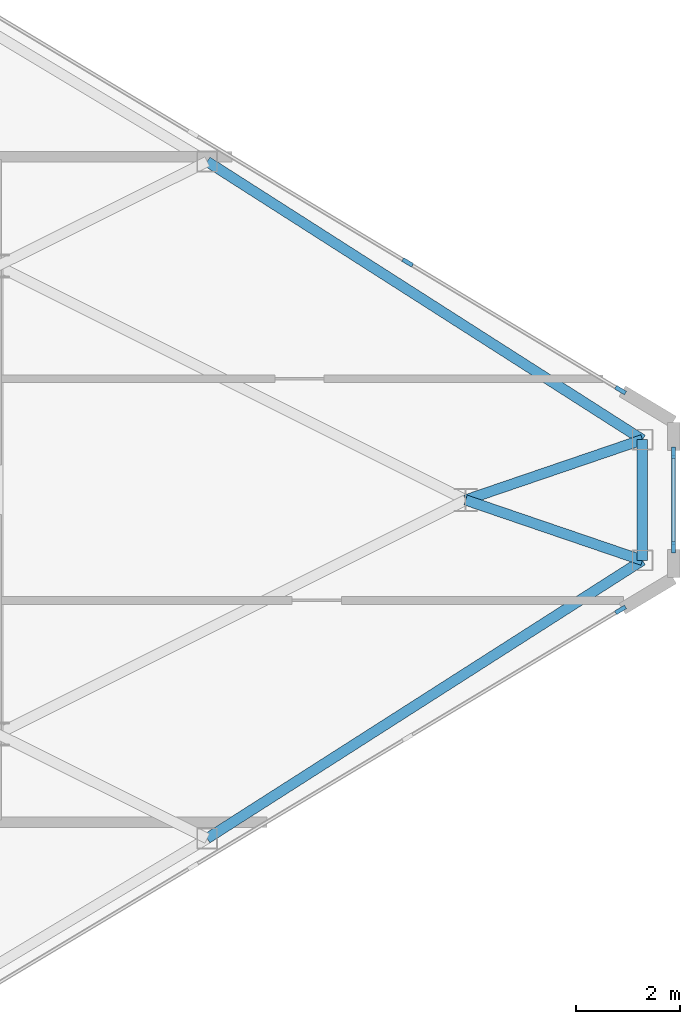
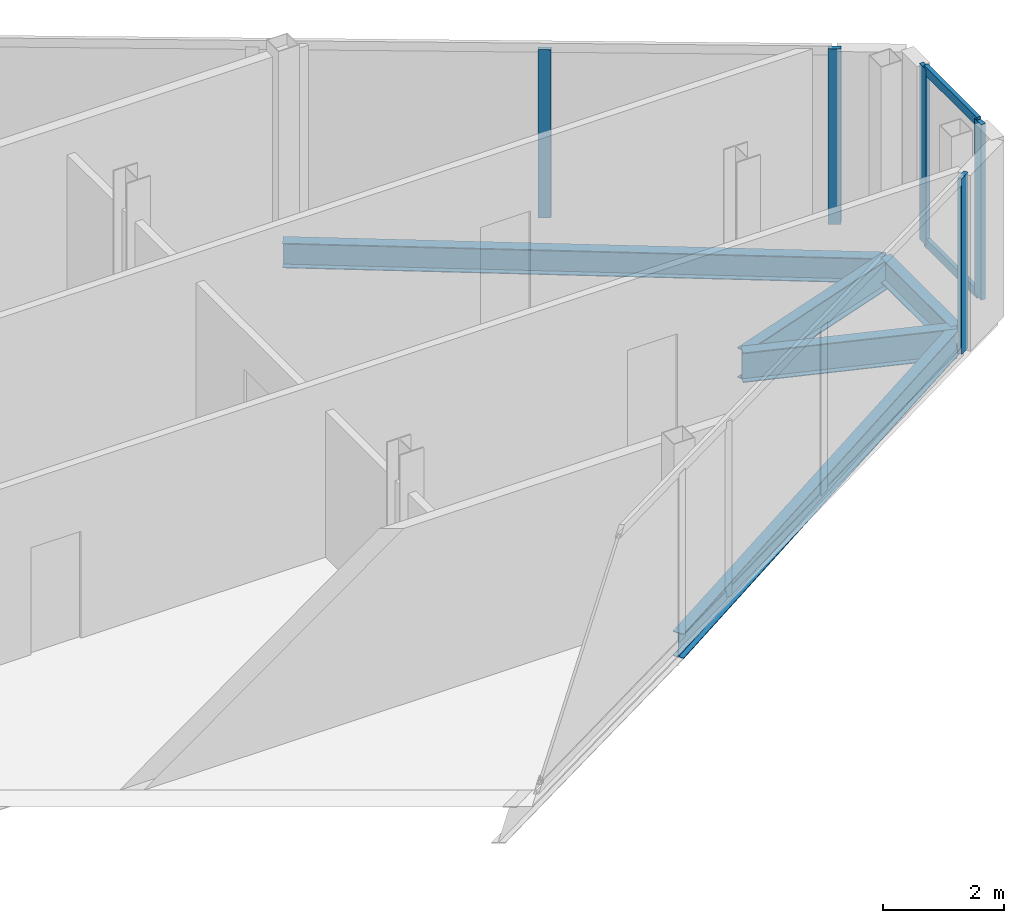
# One storey, part 18 of 29: 7 members, 5 beams, 3 elements without a shape of their own.
"""IFC4 building model written with IfcOpenShell, lengths in metres."""

from ifc_helpers import new_model, si_unit, direction, frame, origin, origin_2d, place, context, subcontext, project, spatial, rectangle, i_section, extrude, source, transform, mapped, material, layer, layer_set, material_profile, profile_set, type_object, type_shapes, element, aggregate, save


model = new_model("IFC4")

# Units and contexts
model_context = context("Model", 3, precision=1e-05, world=origin(), true_north=direction((0.0, 1.0)))
body_context = subcontext(model_context, "Body", "Model", "MODEL_VIEW")
ifc_project = project(units=[si_unit("LENGTHUNIT", "METRE"), si_unit("AREAUNIT", "SQUARE_METRE"), si_unit("VOLUMEUNIT", "CUBIC_METRE"), si_unit("PLANEANGLEUNIT", "RADIAN"), si_unit("MASSUNIT", "GRAM", prefix="KILO")], contexts=[model_context])

# Site, building, storey
site_placement = place(None, origin())
site = spatial("IfcSite", under=ifc_project, at=site_placement, CompositionType="ELEMENT")
building_placement = place(site_placement, origin())
building = spatial("IfcBuilding", under=site, at=building_placement, Name="Seokmaru Belvedere", CompositionType="ELEMENT")
storey_placement = place(building_placement, frame((0.0, 0.0, 243.14990234375)))
storey = spatial("IfcBuildingStorey", under=building, at=storey_placement, Name="L64", CompositionType="ELEMENT", Elevation=243.14990234375)

# Beams
ifc_material_1 = material(Name="Steel SM355 (355 MPa)", Category="steel")
ifc_material_profile_1 = material_profile(ifc_material_1, i_section(OverallWidth=0.199951171875, OverallDepth=0.5, WebThickness=0.010009765625, FlangeThickness=0.01611328125, at=origin_2d()), Name="H-500x200x10x16")
ifc_profile_set_1 = profile_set([ifc_material_profile_1], Name="Steel SM355 (355 MPa)")
beam_type_1 = type_object("IfcBeamType", Name="Perimeter Spandrel Beam H-500", PredefinedType="SPANDREL", material=ifc_profile_set_1)
shared_shape_1 = source(origin(), body_context, "Body", "SweptSolid", [
    extrude(i_section(OverallWidth=0.199951171875, OverallDepth=0.5, WebThickness=0.010009765625, FlangeThickness=0.01611328125, at=origin_2d()), origin(), (0.0, 0.0, 1.0), 9.932861328125),
])
for number, where, z_axis, x_axis, name in (
    (1, (58.530029296875, -6.5087890625, -0.469970703125), (0.842651960357, 0.538458609093, 0.0), (-0.538458609093, 0.842651960357, 0.0), "L64 E Faceted Flank Spandrel S-4"),
    (2, (58.530029296875, 6.5087890625, -0.469970703125), (0.842651960357, -0.538458609093, 0.0), (0.538458609093, 0.842651960357, 0.0), "L64 E Faceted Flank Spandrel N-4"),
):
    element("IfcBeam", number, at=place(storey_placement, frame(where, z_axis=z_axis, x_axis=x_axis)), inside=storey, type_object=beam_type_1, Name=name, PredefinedType="SPANDREL", context=body_context, shape_type="MappedRepresentation", body=[
        mapped(shared_shape_1, transform((0.0, 0.0, 0.0), scale=1.0)),
    ])
shared_shape_2 = source(origin(), body_context, "Body", "SweptSolid", [
    extrude(i_section(OverallWidth=0.199951171875, OverallDepth=0.5, WebThickness=0.010009765625, FlangeThickness=0.01611328125, at=origin_2d()), origin(), (0.0, 0.0, 1.0), 2.32080078125),
])
type_shapes(beam_type_1, [shared_shape_1, shared_shape_2])
beam_placement = place(storey_placement, frame((66.89990234375, -1.160400390625, -0.469970703125), z_axis=(0.0, 1.0, 0.0), x_axis=(-1.0, 0.0, 0.0)))
element("IfcBeam", 3, at=beam_placement, inside=storey, type_object=beam_type_1, Name="L64 E Faceted Apex Spandrel", PredefinedType="SPANDREL", context=body_context, shape_type="MappedRepresentation", body=[
    mapped(shared_shape_2, transform((0.0, 0.0, 0.0), scale=1.0)),
])
ifc_material_profile_2 = material_profile(ifc_material_1, i_section(OverallWidth=0.199951171875, OverallDepth=0.60009765625, WebThickness=0.010986328125, FlangeThickness=0.01708984375, at=origin_2d()), Name="H-600x200x11x17")
ifc_profile_set_2 = profile_set([ifc_material_profile_2], Name="Steel SM355 (355 MPa)")
beam_type_2 = type_object("IfcBeamType", Name="Primary Floor Girder H-600", PredefinedType="BEAM", material=ifc_profile_set_2)
shared_shape_3 = source(origin(), body_context, "Body", "SweptSolid", [
    extrude(i_section(OverallWidth=0.199951171875, OverallDepth=0.60009765625, WebThickness=0.010986328125, FlangeThickness=0.01708984375, at=origin_2d()), origin(), (0.0, 0.0, 1.0), 3.592529296875),
])
type_shapes(beam_type_2, [shared_shape_3])
for number, where, z_axis, x_axis, name in (
    (4, (66.89990234375, -1.160400390625, -0.52001953125), (-0.946395973048, 0.323008764893, 0.0), (-0.323008764893, -0.946395973048, 0.0), "L64 E Apex Radial Floor Girder 1"),
    (5, (66.89990234375, 1.160400390625, -0.52001953125), (-0.946395973048, -0.323008764893, 0.0), (0.323008764893, -0.946395973048, 0.0), "L64 E Apex Radial Floor Girder 2"),
):
    element("IfcBeam", number, at=place(storey_placement, frame(where, z_axis=z_axis, x_axis=x_axis)), inside=storey, type_object=beam_type_2, Name=name, PredefinedType="BEAM", context=body_context, shape_type="MappedRepresentation", body=[
        mapped(shared_shape_3, transform((0.0, 0.0, 0.0), scale=1.0)),
    ])

# Curtain wall, members
ifc_material_2 = material(Name="Bronze Triple Insulating Glass", Category="glass")
ifc_layer = layer(ifc_material_2, 0.219970703125)
ifc_layer_set = layer_set([ifc_layer], Name="Bronze Triple Insulating Glass")
curtain_wall_type = type_object("IfcCurtainWallType", Name="Sky-Gate Bridge Panorama Curtain Wall System CW-6", PredefinedType="NOTDEFINED", material=ifc_layer_set)
curtain_wall_1_placement = place(storey_placement, origin())
curtain_wall_1 = element("IfcCurtainWall", 6, at=curtain_wall_1_placement, inside=storey, type_object=curtain_wall_type, Name="L64 Curtain Wall EF2", PredefinedType="NOTDEFINED")
ifc_material_3 = material(Name="Anodised Bronze Aluminium", Category="aluminium")
ifc_material_profile_3 = material_profile(ifc_material_3, rectangle(XDim=0.074951171875, YDim=0.179931640625, at=origin_2d()), Name="CW-T-75x180")
ifc_profile_set_3 = profile_set([ifc_material_profile_3], Name="Anodised Bronze Aluminium")
member_type_1 = type_object("IfcMemberType", Name="Bronze Unitised Transom 75x180", PredefinedType="USERDEFINED", material=ifc_profile_set_3)
shared_shape_4 = source(origin(), body_context, "Body", "SweptSolid", [
    extrude(rectangle(XDim=0.074951171875, YDim=0.179931640625, at=origin_2d()), origin(), (0.0, 0.0, 1.0), 1.740234375),
])
type_shapes(member_type_1, [shared_shape_4])
member_1_placement = place(storey_placement, frame((67.5, -0.8701171875, 0.03759765625), z_axis=(0.0, 1.0, 0.0), x_axis=(-1.0, 0.0, 0.0)))
member_1 = element("IfcMember", 7, at=member_1_placement, type_object=member_type_1, Name="CW:L64:EF2 Continuous Transom 1", ObjectType="TRANSOM", PredefinedType="USERDEFINED", context=body_context, shape_type="MappedRepresentation", body=[
    mapped(shared_shape_4, transform((0.0, 0.0, 0.0), scale=1.0)),
])
member_2_placement = place(storey_placement, frame((67.5, -0.8701171875, 3.49267578125), z_axis=(0.0, 1.0, 0.0), x_axis=(-1.0, 0.0, 0.0)))
member_2 = element("IfcMember", 8, at=member_2_placement, type_object=member_type_1, Name="CW:L64:EF2 Continuous Transom 2", ObjectType="TRANSOM", PredefinedType="USERDEFINED", context=body_context, shape_type="MappedRepresentation", body=[
    mapped(shared_shape_4, transform((0.0, 0.0, 0.0), scale=1.0)),
])

# Curtain wall, member
curtain_wall_2_placement = place(storey_placement, origin())
curtain_wall_2 = element("IfcCurtainWall", 9, at=curtain_wall_2_placement, inside=storey, type_object=curtain_wall_type, Name="L64 Curtain Wall EF1", PredefinedType="NOTDEFINED")
ifc_material_profile_4 = material_profile(ifc_material_3, rectangle(XDim=0.080078125, YDim=0.219970703125, at=origin_2d()), Name="CW-M-80x220")
ifc_profile_set_4 = profile_set([ifc_material_profile_4], Name="Anodised Bronze Aluminium")
member_type_2 = type_object("IfcMemberType", Name="Bronze Unitised Mullion 80x220", PredefinedType="MULLION", material=ifc_profile_set_4)
shared_shape_5 = source(origin(), body_context, "Body", "SweptSolid", [
    extrude(rectangle(XDim=0.080078125, YDim=0.219970703125, at=origin_2d()), origin(), (0.0, 0.0, 1.0), 3.530029296875),
])
member_3_placement = place(storey_placement, frame((66.4794921875, -2.1123046875, 0.0), z_axis=(0.0, 0.0, 1.0), x_axis=(-0.514494909364, 0.85749343335, 0.0)))
member_3 = element("IfcMember", 10, at=member_3_placement, type_object=member_type_2, Name="CW:L64:EF1 Mullion 9", PredefinedType="MULLION", context=body_context, shape_type="MappedRepresentation", body=[
    mapped(shared_shape_5, transform((0.0, 0.0, 0.0), scale=1.0)),
])
aggregate(curtain_wall_2, [member_3])

# Member
member_4_placement = place(storey_placement, frame((67.5, -0.909912109375, 0.0), z_axis=(0.0, 0.0, 1.0), x_axis=(-1.0, 0.0, 0.0)))
member_4 = element("IfcMember", 11, at=member_4_placement, type_object=member_type_2, Name="CW:L64:EF2 Mullion 1", PredefinedType="MULLION", context=body_context, shape_type="MappedRepresentation", body=[
    mapped(shared_shape_5, transform((0.0, 0.0, 0.0), scale=1.0)),
])

member_5_placement = place(storey_placement, frame((67.5, 0.909912109375, 0.0), z_axis=(0.0, 0.0, 1.0), x_axis=(-1.0, 0.0, 0.0)))
member_5 = element("IfcMember", 12, at=member_5_placement, type_object=member_type_2, Name="CW:L64:EF2 Mullion 2", PredefinedType="MULLION", context=body_context, shape_type="MappedRepresentation", body=[
    mapped(shared_shape_5, transform((0.0, 0.0, 0.0), scale=1.0)),
])

aggregate(curtain_wall_1, [member_4, member_5, member_1, member_2])

# Curtain wall, members
curtain_wall_3_placement = place(storey_placement, origin())
curtain_wall_3 = element("IfcCurtainWall", 13, at=curtain_wall_3_placement, inside=storey, type_object=curtain_wall_type, Name="L64 Curtain Wall EF3", PredefinedType="NOTDEFINED")
member_6_placement = place(storey_placement, frame((66.4794921875, 2.1123046875, 0.0), z_axis=(0.0, 0.0, 1.0), x_axis=(-0.514494909364, -0.85749343335, 0.0)))
member_6 = element("IfcMember", 14, at=member_6_placement, type_object=member_type_2, Name="CW:L64:EF3 Mullion 1", PredefinedType="MULLION", context=body_context, shape_type="MappedRepresentation", body=[
    mapped(shared_shape_5, transform((0.0, 0.0, 0.0), scale=1.0)),
])
shared_shape_6 = source(origin(), body_context, "Body", "SweptSolid", [
    extrude(rectangle(XDim=0.080078125, YDim=0.219970703125, at=origin_2d()), origin(), (0.0, 0.0, 1.0), 3.3798828125),
])
type_shapes(member_type_2, [shared_shape_5, shared_shape_6])
member_7_placement = place(storey_placement, frame((62.385498046875, 4.56884765625, 0.0751953125), z_axis=(0.0, 0.0, 1.0), x_axis=(-0.514494909364, -0.85749343335, 0.0)))
member_7 = element("IfcMember", 15, at=member_7_placement, type_object=member_type_2, Name="CW:L64:EF3 Mullion 2", PredefinedType="MULLION", context=body_context, shape_type="MappedRepresentation", body=[
    mapped(shared_shape_6, transform((0.0, 0.0, 0.0), scale=1.0)),
])
aggregate(curtain_wall_3, [member_6, member_7])

save(model, "model.ifc")
